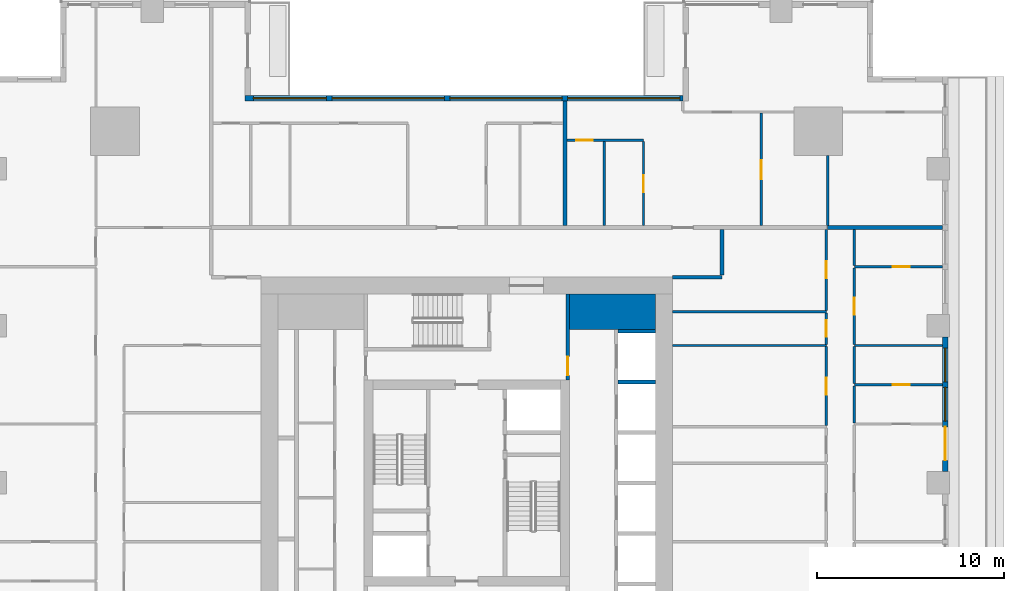
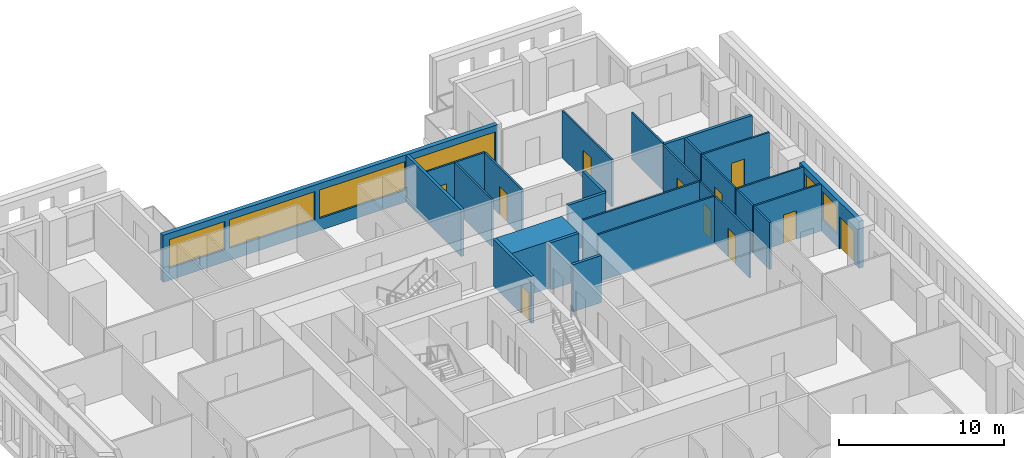
# One storey, part 8 of 15: 27 walls, 11 doors, 6 windows, 17 openings.
"""IFC4 building model written with IfcOpenShell, lengths in metres."""

from ifc_helpers import new_model, si_unit, direction, frame, frame_2d, origin, place, context, subcontext, project, spatial, rectangle, extrude, material, layer, layer_set, type_object, element, fill, save


model = new_model("IFC4")

# Units and contexts
model_context = context("Model", 3, precision=1e-05, world=origin(), true_north=direction((0.0, 1.0)))
body_context = subcontext(model_context, "Body", "Model", "MODEL_VIEW")
ifc_project = project(units=[si_unit("LENGTHUNIT", "METRE"), si_unit("AREAUNIT", "SQUARE_METRE"), si_unit("VOLUMEUNIT", "CUBIC_METRE"), si_unit("PLANEANGLEUNIT", "RADIAN"), si_unit("MASSUNIT", "GRAM", prefix="KILO")], contexts=[model_context])

# Site, building, storey
site_placement = place(None, origin())
site = spatial("IfcSite", under=ifc_project, at=site_placement, CompositionType="ELEMENT")
building_placement = place(site_placement, origin())
building = spatial("IfcBuilding", under=site, at=building_placement, Name="Khepri Terraces", CompositionType="ELEMENT")
storey_placement = place(building_placement, frame((0.0, 0.0, 165.0)))
storey = spatial("IfcBuildingStorey", under=building, at=storey_placement, Name="L39", CompositionType="ELEMENT", Elevation=165.0)

# Walls
ifc_material_1 = material(Name="Concrete C60/75", Category="concrete")
ifc_layer_1 = layer(ifc_material_1, 1.89990234375, Name="Concrete C60/75", Category="concrete")
ifc_layer_set_1 = layer_set([ifc_layer_1], Name="Concrete C60/75")
wall_type_1 = type_object("IfcWallType", Name="Core wall 1900 C60/75", PredefinedType="SHEAR", material=ifc_layer_set_1)
wall_1_placement = place(storey_placement, frame((5.5, 9.14990234375, 0.0), z_axis=(0.0, 0.0, 1.0), x_axis=(1.0, 0.0, 0.0)))
element("IfcWall", 1, at=wall_1_placement, inside=storey, type_object=wall_type_1, Name="Core wall PR04 L39", PredefinedType="SHEAR", context=body_context, shape_type="SweptSolid", body=[
    extrude(rectangle(XDim=4.60009765625, YDim=1.89990234375, at=frame_2d((2.300048828125, 0.0))), origin(), (0.0, 0.0, 1.0), 3.47998046875),
])
ifc_layer_2 = layer(ifc_material_1, 0.199951171875, Name="Concrete C60/75", Category="concrete")
ifc_layer_set_2 = layer_set([ifc_layer_2], Name="Concrete C60/75")
wall_type_2 = type_object("IfcWallType", Name="Core wall 200 C60/75", PredefinedType="SHEAR", material=ifc_layer_set_2)
for number, where, z_axis, x_axis, name in (
    (2, (8.10009765625, 5.39990234375, 0.0), (0.0, 0.0, 1.0), (1.0, 0.0, 0.0), "Core wall SH14 L39"),
    (3, (8.10009765625, 8.10009765625, 0.0), (0.0, 0.0, 1.0), (1.0, 0.0, 0.0), "Core wall SH15 L39"),
):
    element("IfcWall", number, at=place(storey_placement, frame(where, z_axis=z_axis, x_axis=x_axis)), inside=storey, type_object=wall_type_2, Name=name, PredefinedType="SHEAR", context=body_context, shape_type="SweptSolid", body=[
        extrude(rectangle(XDim=2.0, YDim=0.199951171875, at=frame_2d((1.0, 0.0))), origin(), (0.0, 0.0, 1.0), 3.47998046875),
    ])

# Wall, opening, door
ifc_material_2 = material(Name="Fire-rated gypsum board partition")
ifc_layer_3 = layer(ifc_material_2, 0.199951171875, Name="Fire-rated gypsum board partition")
ifc_layer_set_3 = layer_set([ifc_layer_3], Name="Fire-rated gypsum board partition")
wall_type_3 = type_object("IfcWallType", Name="WL-CORE-PART-200", PredefinedType="PARTITIONING", material=ifc_layer_set_3)
wall_2_placement = place(storey_placement, frame((5.39990234375, 5.5, 0.0), z_axis=(0.0, 0.0, 1.0), x_axis=(0.0, 1.0, 0.0)))
wall_2 = element("IfcWall", 4, at=wall_2_placement, inside=storey, type_object=wall_type_3, Name="Core partition PT12 L39", PredefinedType="PARTITIONING", context=body_context, shape_type="SweptSolid", body=[
    extrude(rectangle(XDim=4.60009765625, YDim=0.199951171875, at=frame_2d((2.300048828125, 0.0))), origin(), (0.0, 0.0, 1.0), 3.47998046875),
])
opening_1_placement = place(wall_2_placement, frame((0.25, 0.0, 0.0)))
opening_1 = element("IfcOpeningElement", 5, at=opening_1_placement, cuts=wall_2, Name="Opening L39-C17", PredefinedType="OPENING", context=body_context, shape_type="SweptSolid", body=[
    extrude(rectangle(XDim=1.0, YDim=2.10009765625, at=frame_2d((0.5, 1.050048828125))), frame((0.0, 0.10986328125, 0.0), z_axis=(0.0, -1.0, 0.0), x_axis=(1.0, 0.0, 0.0)), (0.0, 0.0, 1.0), 0.219970703125),
])
ifc_material_3 = material(Name="Painted steel", Category="steel")
door_type_1 = type_object("IfcDoorType", Name="DR-CORE-LOBBY-1000", OperationType="NOTDEFINED", PredefinedType="DOOR", material=ifc_material_3)
door_1_placement = place(opening_1_placement, origin())
door_1 = element("IfcDoor", 6, at=door_1_placement, inside=storey, type_object=door_type_1, Name="Lobby door L39-C17", OperationType="SINGLE_SWING_LEFT", OverallHeight=2.10009765625, OverallWidth=1.0, PredefinedType="DOOR", context=body_context, shape_type="SweptSolid", body=[
    extrude(rectangle(XDim=1.0, YDim=2.10009765625, at=frame_2d((0.5, 1.050048828125))), frame((0.0, 0.02490234375, 0.0), z_axis=(0.0, -1.0, 0.0), x_axis=(1.0, 0.0, 0.0)), (0.0, 0.0, 1.0), 0.050048828125),
])
fill(opening_1, door_1)

# Walls
ifc_material_4 = material(Name="Fire-rated gypsum plasterboard partition, mineral wool")
ifc_layer_4 = layer(ifc_material_4, 0.199951171875, Name="Fire-rated gypsum plasterboard partition, mineral wool")
ifc_layer_set_4 = layer_set([ifc_layer_4], Name="Fire-rated gypsum plasterboard partition, mineral wool")
wall_type_4 = type_object("IfcWallType", Name="WL-CORR-200", PredefinedType="PARTITIONING", material=ifc_layer_set_4)
wall_3_placement = place(storey_placement, frame((11.0, 11.0, 0.0), z_axis=(0.0, 0.0, 1.0), x_axis=(1.0, 0.0, 0.0)))
element("IfcWall", 7, at=wall_3_placement, inside=storey, type_object=wall_type_4, Name="Partition P-076 L39", PredefinedType="PARTITIONING", context=body_context, shape_type="SweptSolid", body=[
    extrude(rectangle(XDim=2.64990234375, YDim=0.199951171875, at=frame_2d((1.324951171875, 0.0))), origin(), (0.0, 0.0, 1.0), 3.47998046875),
])
wall_4_placement = place(storey_placement, frame((13.64990234375, 11.10009765625, 0.0), z_axis=(0.0, 0.0, 1.0), x_axis=(0.0, 1.0, 0.0)))
element("IfcWall", 8, at=wall_4_placement, inside=storey, type_object=wall_type_4, Name="Partition P-078 L39", PredefinedType="PARTITIONING", context=body_context, shape_type="SweptSolid", body=[
    extrude(rectangle(XDim=2.449951171875, YDim=0.199951171875, at=frame_2d((1.22509765625, 0.0))), origin(), (0.0, 0.0, 1.0), 3.47998046875),
])
wall_5_placement = place(storey_placement, frame((19.2958984375, 13.64990234375, 0.0), z_axis=(0.0, 0.0, 1.0), x_axis=(1.0, 0.0, 0.0)))
element("IfcWall", 9, at=wall_5_placement, inside=storey, type_object=wall_type_4, Name="Partition P-085 L39", PredefinedType="PARTITIONING", context=body_context, shape_type="SweptSolid", body=[
    extrude(rectangle(XDim=6.1240234375, YDim=0.199951171875, at=frame_2d((3.06201171875, 0.0))), origin(), (0.0, 0.0, 1.0), 3.47998046875),
])
wall_6_placement = place(storey_placement, frame((5.25, 13.75, 0.0), z_axis=(0.0, 0.0, 1.0), x_axis=(0.0, 1.0, 0.0)))
element("IfcWall", 10, at=wall_6_placement, inside=storey, type_object=wall_type_4, Name="Partition P-093 L39", PredefinedType="PARTITIONING", context=body_context, shape_type="SweptSolid", body=[
    extrude(rectangle(XDim=6.669921875, YDim=0.199951171875, at=frame_2d((3.3349609375, 0.0))), origin(), (0.0, 0.0, 1.0), 3.47998046875),
])

# Wall, openings, door, windows
ifc_material_5 = material(Name="Precast concrete C50/60 warm stone", Category="masonry")
ifc_layer_5 = layer(ifc_material_5, 0.300048828125, Name="Precast concrete C50/60 warm stone", Category="masonry")
ifc_layer_set_5 = layer_set([ifc_layer_5], Name="Precast concrete C50/60 warm stone")
wall_type_5 = type_object("IfcWallType", Name="WL-EXT-PRECAST-300", PredefinedType="STANDARD", material=ifc_layer_set_5)
wall_7_placement = place(storey_placement, frame((25.570068359375, 0.60009765625, 0.0), z_axis=(0.0, 0.0, 1.0), x_axis=(0.0, 1.0, 0.0)))
wall_7 = element("IfcWall", 11, at=wall_7_placement, inside=storey, type_object=wall_type_5, Name="External wall L39 E", PredefinedType="STANDARD", context=body_context, shape_type="SweptSolid", body=[
    extrude(rectangle(XDim=7.199951171875, YDim=0.300048828125, at=frame_2d((3.60009765625, 0.0))), origin(), (0.0, 0.0, 1.0), 3.47998046875),
])
opening_2_placement = place(wall_7_placement, frame((0.60009765625, 0.0, 0.0)))
opening_2 = element("IfcOpeningElement", 12, at=opening_2_placement, cuts=wall_7, Name="Opening ED-L39-06", PredefinedType="OPENING", context=body_context, shape_type="SweptSolid", body=[
    extrude(rectangle(XDim=1.800048828125, YDim=2.39990234375, at=frame_2d((0.89990234375, 1.199951171875))), frame((0.0, 0.16015625, 0.0), z_axis=(0.0, -1.0, 0.0), x_axis=(1.0, 0.0, 0.0)), (0.0, 0.0, 1.0), 0.320068359375),
])
opening_3_placement = place(wall_7_placement, frame((2.699951171875, 0.0, 0.89990234375)))
opening_3 = element("IfcOpeningElement", 13, at=opening_3_placement, cuts=wall_7, Name="Opening W1", PredefinedType="OPENING", context=body_context, shape_type="SweptSolid", body=[
    extrude(rectangle(XDim=1.800048828125, YDim=2.10009765625, at=frame_2d((0.89990234375, 1.050048828125))), frame((0.0, 0.16015625, 0.0), z_axis=(0.0, -1.0, 0.0), x_axis=(1.0, 0.0, 0.0)), (0.0, 0.0, 1.0), 0.320068359375),
])
opening_4_placement = place(wall_7_placement, frame((4.800048828125, 0.0, 0.89990234375)))
opening_4 = element("IfcOpeningElement", 14, at=opening_4_placement, cuts=wall_7, Name="Opening W1", PredefinedType="OPENING", context=body_context, shape_type="SweptSolid", body=[
    extrude(rectangle(XDim=1.800048828125, YDim=2.10009765625, at=frame_2d((0.89990234375, 1.050048828125))), frame((0.0, 0.16015625, 0.0), z_axis=(0.0, -1.0, 0.0), x_axis=(1.0, 0.0, 0.0)), (0.0, 0.0, 1.0), 0.320068359375),
])
ifc_material_6 = material(Name="Anodised aluminium bronze glazed door", Category="aluminium")
door_type_2 = type_object("IfcDoorType", Name="DR-BAL-SLIDE-1800x2400", OperationType="NOTDEFINED", PredefinedType="DOOR", material=ifc_material_6)
door_2_placement = place(opening_2_placement, origin())
door_2 = element("IfcDoor", 15, at=door_2_placement, inside=storey, type_object=door_type_2, Name="Balcony door L39 E", OperationType="SLIDING_TO_LEFT", OverallHeight=2.39990234375, OverallWidth=1.800048828125, PredefinedType="DOOR", context=body_context, shape_type="SweptSolid", body=[
    extrude(rectangle(XDim=1.800048828125, YDim=2.39990234375, at=frame_2d((0.89990234375, 1.199951171875))), frame((0.0, 0.02490234375, 0.0), z_axis=(0.0, -1.0, 0.0), x_axis=(1.0, 0.0, 0.0)), (0.0, 0.0, 1.0), 0.050048828125),
])
fill(opening_2, door_2)
ifc_material_7 = material(Name="Clear glass", Category="glass")
window_type_1 = type_object("IfcWindowType", Name="WIN-RES-1800x2100", PartitioningType="SINGLE_PANEL", PredefinedType="WINDOW", material=ifc_material_7)
window_1_placement = place(opening_3_placement, origin())
window_1 = element("IfcWindow", 16, at=window_1_placement, inside=storey, type_object=window_type_1, Name="Window L39 E", OverallHeight=2.10009765625, OverallWidth=1.800048828125, PartitioningType="SINGLE_PANEL", PredefinedType="WINDOW", context=body_context, shape_type="SweptSolid", body=[
    extrude(rectangle(XDim=1.800048828125, YDim=2.10009765625, at=frame_2d((0.89990234375, 1.050048828125))), frame((0.0, 0.030029296875, 0.0), z_axis=(0.0, -1.0, 0.0), x_axis=(1.0, 0.0, 0.0)), (0.0, 0.0, 1.0), 0.06005859375),
])
fill(opening_3, window_1)
window_2_placement = place(opening_4_placement, origin())
window_2 = element("IfcWindow", 17, at=window_2_placement, inside=storey, type_object=window_type_1, Name="Window L39 E", OverallHeight=2.10009765625, OverallWidth=1.800048828125, PartitioningType="SINGLE_PANEL", PredefinedType="WINDOW", context=body_context, shape_type="SweptSolid", body=[
    extrude(rectangle(XDim=1.800048828125, YDim=2.10009765625, at=frame_2d((0.89990234375, 1.050048828125))), frame((0.0, 0.030029296875, 0.0), z_axis=(0.0, -1.0, 0.0), x_axis=(1.0, 0.0, 0.0)), (0.0, 0.0, 1.0), 0.06005859375),
])
fill(opening_4, window_2)

# Wall, openings, windows
wall_8_placement = place(storey_placement, frame((11.550048828125, 20.570068359375, 0.0), z_axis=(0.0, 0.0, 1.0), x_axis=(-1.0, 0.0, 0.0)))
wall_8 = element("IfcWall", 18, at=wall_8_placement, inside=storey, type_object=wall_type_5, Name="External wall L39 N", PredefinedType="STANDARD", context=body_context, shape_type="SweptSolid", body=[
    extrude(rectangle(XDim=23.400146484375, YDim=0.300048828125, at=frame_2d((11.7001953125, 0.0))), origin(), (0.0, 0.0, 1.0), 3.47998046875),
])
opening_5_placement = place(wall_8_placement, frame((0.14990234375, 0.0, 0.89990234375)))
opening_5 = element("IfcOpeningElement", 19, at=opening_5_placement, cuts=wall_8, Name="Opening W3", PredefinedType="OPENING", context=body_context, shape_type="SweptSolid", body=[
    extrude(rectangle(XDim=6.0, YDim=2.10009765625, at=frame_2d((3.0, 1.050048828125))), frame((0.0, 0.16015625, 0.0), z_axis=(0.0, -1.0, 0.0), x_axis=(1.0, 0.0, 0.0)), (0.0, 0.0, 1.0), 0.320068359375),
])
opening_6_placement = place(wall_8_placement, frame((6.449951171875, 0.0, 0.89990234375)))
opening_6 = element("IfcOpeningElement", 20, at=opening_6_placement, cuts=wall_8, Name="Opening W3", PredefinedType="OPENING", context=body_context, shape_type="SweptSolid", body=[
    extrude(rectangle(XDim=6.0, YDim=2.10009765625, at=frame_2d((3.0, 1.050048828125))), frame((0.0, 0.16015625, 0.0), z_axis=(0.0, -1.0, 0.0), x_axis=(1.0, 0.0, 0.0)), (0.0, 0.0, 1.0), 0.320068359375),
])
opening_7_placement = place(wall_8_placement, frame((12.75, 0.0, 0.89990234375)))
opening_7 = element("IfcOpeningElement", 21, at=opening_7_placement, cuts=wall_8, Name="Opening W3", PredefinedType="OPENING", context=body_context, shape_type="SweptSolid", body=[
    extrude(rectangle(XDim=6.0, YDim=2.10009765625, at=frame_2d((3.0, 1.050048828125))), frame((0.0, 0.16015625, 0.0), z_axis=(0.0, -1.0, 0.0), x_axis=(1.0, 0.0, 0.0)), (0.0, 0.0, 1.0), 0.320068359375),
])
opening_8_placement = place(wall_8_placement, frame((19.050048828125, 0.0, 0.89990234375)))
opening_8 = element("IfcOpeningElement", 22, at=opening_8_placement, cuts=wall_8, Name="Opening W2", PredefinedType="OPENING", context=body_context, shape_type="SweptSolid", body=[
    extrude(rectangle(XDim=3.89990234375, YDim=2.10009765625, at=frame_2d((1.949951171875, 1.050048828125))), frame((0.0, 0.16015625, 0.0), z_axis=(0.0, -1.0, 0.0), x_axis=(1.0, 0.0, 0.0)), (0.0, 0.0, 1.0), 0.320068359375),
])
window_type_2 = type_object("IfcWindowType", Name="WIN-RES-3900x2100", PartitioningType="SINGLE_PANEL", PredefinedType="WINDOW", material=ifc_material_7)
window_3_placement = place(opening_8_placement, origin())
window_3 = element("IfcWindow", 23, at=window_3_placement, inside=storey, type_object=window_type_2, Name="Window L39 N", OverallHeight=2.10009765625, OverallWidth=3.89990234375, PartitioningType="SINGLE_PANEL", PredefinedType="WINDOW", context=body_context, shape_type="SweptSolid", body=[
    extrude(rectangle(XDim=3.89990234375, YDim=2.10009765625, at=frame_2d((1.949951171875, 1.050048828125))), frame((0.0, 0.030029296875, 0.0), z_axis=(0.0, -1.0, 0.0), x_axis=(1.0, 0.0, 0.0)), (0.0, 0.0, 1.0), 0.06005859375),
])
fill(opening_8, window_3)
window_type_3 = type_object("IfcWindowType", Name="WIN-RES-6000x2100", PartitioningType="SINGLE_PANEL", PredefinedType="WINDOW", material=ifc_material_7)
window_4_placement = place(opening_5_placement, origin())
window_4 = element("IfcWindow", 24, at=window_4_placement, inside=storey, type_object=window_type_3, Name="Window L39 N", OverallHeight=2.10009765625, OverallWidth=6.0, PartitioningType="SINGLE_PANEL", PredefinedType="WINDOW", context=body_context, shape_type="SweptSolid", body=[
    extrude(rectangle(XDim=6.0, YDim=2.10009765625, at=frame_2d((3.0, 1.050048828125))), frame((0.0, 0.030029296875, 0.0), z_axis=(0.0, -1.0, 0.0), x_axis=(1.0, 0.0, 0.0)), (0.0, 0.0, 1.0), 0.06005859375),
])
fill(opening_5, window_4)
window_5_placement = place(opening_6_placement, origin())
window_5 = element("IfcWindow", 25, at=window_5_placement, inside=storey, type_object=window_type_3, Name="Window L39 N", OverallHeight=2.10009765625, OverallWidth=6.0, PartitioningType="SINGLE_PANEL", PredefinedType="WINDOW", context=body_context, shape_type="SweptSolid", body=[
    extrude(rectangle(XDim=6.0, YDim=2.10009765625, at=frame_2d((3.0, 1.050048828125))), frame((0.0, 0.030029296875, 0.0), z_axis=(0.0, -1.0, 0.0), x_axis=(1.0, 0.0, 0.0)), (0.0, 0.0, 1.0), 0.06005859375),
])
fill(opening_6, window_5)
window_6_placement = place(opening_7_placement, origin())
window_6 = element("IfcWindow", 26, at=window_6_placement, inside=storey, type_object=window_type_3, Name="Window L39 N", OverallHeight=2.10009765625, OverallWidth=6.0, PartitioningType="SINGLE_PANEL", PredefinedType="WINDOW", context=body_context, shape_type="SweptSolid", body=[
    extrude(rectangle(XDim=6.0, YDim=2.10009765625, at=frame_2d((3.0, 1.050048828125))), frame((0.0, 0.030029296875, 0.0), z_axis=(0.0, -1.0, 0.0), x_axis=(1.0, 0.0, 0.0)), (0.0, 0.0, 1.0), 0.06005859375),
])
fill(opening_7, window_6)

# Wall, opening, door
ifc_material_8 = material(Name="Gypsum plasterboard partition")
ifc_layer_6 = layer(ifc_material_8, 0.1201171875, Name="Gypsum plasterboard partition")
ifc_layer_set_6 = layer_set([ifc_layer_6], Name="Gypsum plasterboard partition")
wall_type_6 = type_object("IfcWallType", Name="WL-PART-120", PredefinedType="PARTITIONING", material=ifc_layer_set_6)
wall_9_placement = place(storey_placement, frame((19.219970703125, 3.06005859375, 0.0), z_axis=(0.0, 0.0, 1.0), x_axis=(0.0, 1.0, 0.0)))
wall_9 = element("IfcWall", 27, at=wall_9_placement, inside=storey, type_object=wall_type_6, Name="Partition P-059 L39", PredefinedType="PARTITIONING", context=body_context, shape_type="SweptSolid", body=[
    extrude(rectangle(XDim=4.22998046875, YDim=0.1201171875, at=frame_2d((2.114990234375, 0.0))), origin(), (0.0, 0.0, 1.0), 3.47998046875),
])
opening_9_placement = place(wall_9_placement, frame((1.6650390625, 0.0, 0.0)))
opening_9 = element("IfcOpeningElement", 28, at=opening_9_placement, cuts=wall_9, Name="Opening D3", PredefinedType="OPENING", context=body_context, shape_type="SweptSolid", body=[
    extrude(rectangle(XDim=0.89990234375, YDim=2.10009765625, at=frame_2d((0.449951171875, 1.050048828125))), frame((0.0, 0.070068359375, 0.0), z_axis=(0.0, -1.0, 0.0), x_axis=(1.0, 0.0, 0.0)), (0.0, 0.0, 1.0), 0.14013671875),
])
ifc_material_9 = material(Name="Timber door leaf", Category="wood")
door_type_3 = type_object("IfcDoorType", Name="DR-INT-900", OperationType="NOTDEFINED", PredefinedType="DOOR", material=ifc_material_9)
door_3_placement = place(opening_9_placement, origin())
door_3 = element("IfcDoor", 29, at=door_3_placement, inside=storey, type_object=door_type_3, Name="Door Staff Bedroom", OperationType="SINGLE_SWING_LEFT", OverallHeight=2.10009765625, OverallWidth=0.89990234375, PredefinedType="DOOR", context=body_context, shape_type="SweptSolid", body=[
    extrude(rectangle(XDim=0.89990234375, YDim=2.10009765625, at=frame_2d((0.449951171875, 1.050048828125))), frame((0.0, 0.02490234375, 0.0), z_axis=(0.0, -1.0, 0.0), x_axis=(1.0, 0.0, 0.0)), (0.0, 0.0, 1.0), 0.050048828125),
])
fill(opening_9, door_3)

# Wall
wall_10_placement = place(storey_placement, frame((20.719970703125, 3.2099609375, 0.0), z_axis=(0.0, 0.0, 1.0), x_axis=(0.0, 1.0, 0.0)))
element("IfcWall", 30, at=wall_10_placement, inside=storey, type_object=wall_type_6, Name="Partition P-063 L39", PredefinedType="PARTITIONING", context=body_context, shape_type="SweptSolid", body=[
    extrude(rectangle(XDim=1.97998046875, YDim=0.1201171875, at=frame_2d((0.989990234375, 0.0))), origin(), (0.0, 0.0, 1.0), 3.47998046875),
])

# Wall, opening, door
wall_11_placement = place(storey_placement, frame((20.719970703125, 5.25, 0.0), z_axis=(0.0, 0.0, 1.0), x_axis=(1.0, 0.0, 0.0)))
wall_11 = element("IfcWall", 31, at=wall_11_placement, inside=storey, type_object=wall_type_6, Name="Partition P-066 L39", PredefinedType="PARTITIONING", context=body_context, shape_type="SweptSolid", body=[
    extrude(rectangle(XDim=4.699951171875, YDim=0.1201171875, at=frame_2d((2.35009765625, 0.0))), origin(), (0.0, 0.0, 1.0), 3.47998046875),
])
opening_10_placement = place(wall_11_placement, frame((2.050048828125, 0.0, 0.0)))
opening_10 = element("IfcOpeningElement", 32, at=opening_10_placement, cuts=wall_11, Name="Opening D4", PredefinedType="OPENING", context=body_context, shape_type="SweptSolid", body=[
    extrude(rectangle(XDim=0.89990234375, YDim=2.10009765625, at=frame_2d((0.449951171875, 1.050048828125))), frame((0.0, 0.070068359375, 0.0), z_axis=(0.0, -1.0, 0.0), x_axis=(1.0, 0.0, 0.0)), (0.0, 0.0, 1.0), 0.14013671875),
])
ifc_material_10 = material(Name="Timber door leaf, moisture resistant", Category="wood")
door_type_4 = type_object("IfcDoorType", Name="DR-WET-900", OperationType="NOTDEFINED", PredefinedType="DOOR", material=ifc_material_10)
door_4_placement = place(opening_10_placement, origin())
door_4 = element("IfcDoor", 33, at=door_4_placement, inside=storey, type_object=door_type_4, Name="Door Bathroom", OperationType="SINGLE_SWING_RIGHT", OverallHeight=2.10009765625, OverallWidth=0.89990234375, PredefinedType="DOOR", context=body_context, shape_type="SweptSolid", body=[
    extrude(rectangle(XDim=0.89990234375, YDim=2.10009765625, at=frame_2d((0.449951171875, 1.050048828125))), frame((0.0, 0.02490234375, 0.0), z_axis=(0.0, -1.0, 0.0), x_axis=(1.0, 0.0, 0.0)), (0.0, 0.0, 1.0), 0.050048828125),
])
fill(opening_10, door_4)

# Walls
wall_12_placement = place(storey_placement, frame((20.719970703125, 5.31005859375, 0.0), z_axis=(0.0, 0.0, 1.0), x_axis=(0.0, 1.0, 0.0)))
element("IfcWall", 34, at=wall_12_placement, inside=storey, type_object=wall_type_6, Name="Partition P-067 L39", PredefinedType="PARTITIONING", context=body_context, shape_type="SweptSolid", body=[
    extrude(rectangle(XDim=1.97998046875, YDim=0.1201171875, at=frame_2d((0.989990234375, 0.0))), origin(), (0.0, 0.0, 1.0), 3.47998046875),
])
wall_13_placement = place(storey_placement, frame((11.0, 7.35009765625, 0.0), z_axis=(0.0, 0.0, 1.0), x_axis=(1.0, 0.0, 0.0)))
element("IfcWall", 35, at=wall_13_placement, inside=storey, type_object=wall_type_6, Name="Partition P-069 L39", PredefinedType="PARTITIONING", context=body_context, shape_type="SweptSolid", body=[
    extrude(rectangle(XDim=8.219970703125, YDim=0.1201171875, at=frame_2d((4.10986328125, 0.0))), origin(), (0.0, 0.0, 1.0), 3.47998046875),
])
wall_14_placement = place(storey_placement, frame((20.719970703125, 7.35009765625, 0.0), z_axis=(0.0, 0.0, 1.0), x_axis=(1.0, 0.0, 0.0)))
element("IfcWall", 36, at=wall_14_placement, inside=storey, type_object=wall_type_6, Name="Partition P-070 L39", PredefinedType="PARTITIONING", context=body_context, shape_type="SweptSolid", body=[
    extrude(rectangle(XDim=4.699951171875, YDim=0.1201171875, at=frame_2d((2.35009765625, 0.0))), origin(), (0.0, 0.0, 1.0), 3.47998046875),
])

# Wall, opening, door
wall_15_placement = place(storey_placement, frame((19.219970703125, 7.409912109375, 0.0), z_axis=(0.0, 0.0, 1.0), x_axis=(0.0, 1.0, 0.0)))
wall_15 = element("IfcWall", 37, at=wall_15_placement, inside=storey, type_object=wall_type_6, Name="Partition P-071 L39", PredefinedType="PARTITIONING", context=body_context, shape_type="SweptSolid", body=[
    extrude(rectangle(XDim=1.68017578125, YDim=0.1201171875, at=frame_2d((0.840087890625, 0.0))), origin(), (0.0, 0.0, 1.0), 3.47998046875),
])
opening_11_placement = place(wall_15_placement, frame((0.389892578125, 0.0, 0.0)))
opening_11 = element("IfcOpeningElement", 38, at=opening_11_placement, cuts=wall_15, Name="Opening D4", PredefinedType="OPENING", context=body_context, shape_type="SweptSolid", body=[
    extrude(rectangle(XDim=0.89990234375, YDim=2.10009765625, at=frame_2d((0.449951171875, 1.050048828125))), frame((0.0, 0.070068359375, 0.0), z_axis=(0.0, -1.0, 0.0), x_axis=(1.0, 0.0, 0.0)), (0.0, 0.0, 1.0), 0.14013671875),
])
door_5_placement = place(opening_11_placement, origin())
door_5 = element("IfcDoor", 39, at=door_5_placement, inside=storey, type_object=door_type_4, Name="Door Guest Bathroom", OperationType="SINGLE_SWING_RIGHT", OverallHeight=2.10009765625, OverallWidth=0.89990234375, PredefinedType="DOOR", context=body_context, shape_type="SweptSolid", body=[
    extrude(rectangle(XDim=0.89990234375, YDim=2.10009765625, at=frame_2d((0.449951171875, 1.050048828125))), frame((0.0, 0.02490234375, 0.0), z_axis=(0.0, -1.0, 0.0), x_axis=(1.0, 0.0, 0.0)), (0.0, 0.0, 1.0), 0.050048828125),
])
fill(opening_11, door_5)

wall_16_placement = place(storey_placement, frame((20.719970703125, 7.409912109375, 0.0), z_axis=(0.0, 0.0, 1.0), x_axis=(0.0, 1.0, 0.0)))
wall_16 = element("IfcWall", 40, at=wall_16_placement, inside=storey, type_object=wall_type_6, Name="Partition P-072 L39", PredefinedType="PARTITIONING", context=body_context, shape_type="SweptSolid", body=[
    extrude(rectangle(XDim=4.080078125, YDim=0.1201171875, at=frame_2d((2.0400390625, 0.0))), origin(), (0.0, 0.0, 1.0), 3.47998046875),
])
opening_12_placement = place(wall_16_placement, frame((1.590087890625, 0.0, 0.0)))
opening_12 = element("IfcOpeningElement", 41, at=opening_12_placement, cuts=wall_16, Name="Opening D3", PredefinedType="OPENING", context=body_context, shape_type="SweptSolid", body=[
    extrude(rectangle(XDim=0.89990234375, YDim=2.10009765625, at=frame_2d((0.449951171875, 1.050048828125))), frame((0.0, 0.070068359375, 0.0), z_axis=(0.0, -1.0, 0.0), x_axis=(1.0, 0.0, 0.0)), (0.0, 0.0, 1.0), 0.14013671875),
])
door_6_placement = place(opening_12_placement, frame((0.89990234375, 0.0, 0.0), z_axis=(0.0, 0.0, 1.0), x_axis=(-1.0, 0.0, 0.0)))
door_6 = element("IfcDoor", 42, at=door_6_placement, inside=storey, type_object=door_type_3, Name="Door Bedroom", OperationType="SINGLE_SWING_RIGHT", OverallHeight=2.10009765625, OverallWidth=0.89990234375, PredefinedType="DOOR", context=body_context, shape_type="SweptSolid", body=[
    extrude(rectangle(XDim=0.89990234375, YDim=2.10009765625, at=frame_2d((0.449951171875, 1.050048828125))), frame((0.0, 0.02490234375, 0.0), z_axis=(0.0, -1.0, 0.0), x_axis=(1.0, 0.0, 0.0)), (0.0, 0.0, 1.0), 0.050048828125),
])
fill(opening_12, door_6)

# Wall
wall_17_placement = place(storey_placement, frame((11.0, 9.14990234375, 0.0), z_axis=(0.0, 0.0, 1.0), x_axis=(1.0, 0.0, 0.0)))
element("IfcWall", 43, at=wall_17_placement, inside=storey, type_object=wall_type_6, Name="Partition P-073 L39", PredefinedType="PARTITIONING", context=body_context, shape_type="SweptSolid", body=[
    extrude(rectangle(XDim=8.219970703125, YDim=0.1201171875, at=frame_2d((4.10986328125, 0.0))), origin(), (0.0, 0.0, 1.0), 3.47998046875),
])

# Wall, opening, door
wall_18_placement = place(storey_placement, frame((19.219970703125, 9.2099609375, 0.0), z_axis=(0.0, 0.0, 1.0), x_axis=(0.0, 1.0, 0.0)))
wall_18 = element("IfcWall", 44, at=wall_18_placement, inside=storey, type_object=wall_type_6, Name="Partition P-074 L39", PredefinedType="PARTITIONING", context=body_context, shape_type="SweptSolid", body=[
    extrude(rectangle(XDim=4.340087890625, YDim=0.1201171875, at=frame_2d((2.169921875, 0.0))), origin(), (0.0, 0.0, 1.0), 3.47998046875),
])
opening_13_placement = place(wall_18_placement, frame((1.739990234375, 0.0, 0.0)))
opening_13 = element("IfcOpeningElement", 45, at=opening_13_placement, cuts=wall_18, Name="Opening D3", PredefinedType="OPENING", context=body_context, shape_type="SweptSolid", body=[
    extrude(rectangle(XDim=0.89990234375, YDim=2.10009765625, at=frame_2d((0.449951171875, 1.050048828125))), frame((0.0, 0.070068359375, 0.0), z_axis=(0.0, -1.0, 0.0), x_axis=(1.0, 0.0, 0.0)), (0.0, 0.0, 1.0), 0.14013671875),
])
door_7_placement = place(opening_13_placement, origin())
door_7 = element("IfcDoor", 46, at=door_7_placement, inside=storey, type_object=door_type_3, Name="Door Utility Room", OperationType="SINGLE_SWING_RIGHT", OverallHeight=2.10009765625, OverallWidth=0.89990234375, PredefinedType="DOOR", context=body_context, shape_type="SweptSolid", body=[
    extrude(rectangle(XDim=0.89990234375, YDim=2.10009765625, at=frame_2d((0.449951171875, 1.050048828125))), frame((0.0, 0.02490234375, 0.0), z_axis=(0.0, -1.0, 0.0), x_axis=(1.0, 0.0, 0.0)), (0.0, 0.0, 1.0), 0.050048828125),
])
fill(opening_13, door_7)

wall_19_placement = place(storey_placement, frame((20.719970703125, 11.550048828125, 0.0), z_axis=(0.0, 0.0, 1.0), x_axis=(1.0, 0.0, 0.0)))
wall_19 = element("IfcWall", 47, at=wall_19_placement, inside=storey, type_object=wall_type_6, Name="Partition P-080 L39", PredefinedType="PARTITIONING", context=body_context, shape_type="SweptSolid", body=[
    extrude(rectangle(XDim=4.699951171875, YDim=0.1201171875, at=frame_2d((2.35009765625, 0.0))), origin(), (0.0, 0.0, 1.0), 3.47998046875),
])
opening_14_placement = place(wall_19_placement, frame((2.050048828125, 0.0, 0.0)))
opening_14 = element("IfcOpeningElement", 48, at=opening_14_placement, cuts=wall_19, Name="Opening D4", PredefinedType="OPENING", context=body_context, shape_type="SweptSolid", body=[
    extrude(rectangle(XDim=0.89990234375, YDim=2.10009765625, at=frame_2d((0.449951171875, 1.050048828125))), frame((0.0, 0.070068359375, 0.0), z_axis=(0.0, -1.0, 0.0), x_axis=(1.0, 0.0, 0.0)), (0.0, 0.0, 1.0), 0.14013671875),
])
door_8_placement = place(opening_14_placement, origin())
door_8 = element("IfcDoor", 49, at=door_8_placement, inside=storey, type_object=door_type_4, Name="Door Bathroom", OperationType="SINGLE_SWING_RIGHT", OverallHeight=2.10009765625, OverallWidth=0.89990234375, PredefinedType="DOOR", context=body_context, shape_type="SweptSolid", body=[
    extrude(rectangle(XDim=0.89990234375, YDim=2.10009765625, at=frame_2d((0.449951171875, 1.050048828125))), frame((0.0, 0.02490234375, 0.0), z_axis=(0.0, -1.0, 0.0), x_axis=(1.0, 0.0, 0.0)), (0.0, 0.0, 1.0), 0.050048828125),
])
fill(opening_14, door_8)

# Walls
wall_20_placement = place(storey_placement, frame((20.719970703125, 11.610107421875, 0.0), z_axis=(0.0, 0.0, 1.0), x_axis=(0.0, 1.0, 0.0)))
element("IfcWall", 50, at=wall_20_placement, inside=storey, type_object=wall_type_6, Name="Partition P-082 L39", PredefinedType="PARTITIONING", context=body_context, shape_type="SweptSolid", body=[
    extrude(rectangle(XDim=1.93994140625, YDim=0.1201171875, at=frame_2d((0.969970703125, 0.0))), origin(), (0.0, 0.0, 1.0), 3.47998046875),
])
wall_21_placement = place(storey_placement, frame((7.35009765625, 13.75, 0.0), z_axis=(0.0, 0.0, 1.0), x_axis=(0.0, 1.0, 0.0)))
element("IfcWall", 51, at=wall_21_placement, inside=storey, type_object=wall_type_6, Name="Partition P-094 L39", PredefinedType="PARTITIONING", context=body_context, shape_type="SweptSolid", body=[
    extrude(rectangle(XDim=4.510009765625, YDim=0.1201171875, at=frame_2d((2.2548828125, 0.0))), origin(), (0.0, 0.0, 1.0), 3.47998046875),
])

# Wall, opening, door
wall_22_placement = place(storey_placement, frame((9.449951171875, 13.75, 0.0), z_axis=(0.0, 0.0, 1.0), x_axis=(0.0, 1.0, 0.0)))
wall_22 = element("IfcWall", 52, at=wall_22_placement, inside=storey, type_object=wall_type_6, Name="Partition P-095 L39", PredefinedType="PARTITIONING", context=body_context, shape_type="SweptSolid", body=[
    extrude(rectangle(XDim=4.510009765625, YDim=0.1201171875, at=frame_2d((2.2548828125, 0.0))), origin(), (0.0, 0.0, 1.0), 3.47998046875),
])
opening_15_placement = place(wall_22_placement, frame((1.784912109375, 0.0, 0.0)))
opening_15 = element("IfcOpeningElement", 53, at=opening_15_placement, cuts=wall_22, Name="Opening D4", PredefinedType="OPENING", context=body_context, shape_type="SweptSolid", body=[
    extrude(rectangle(XDim=0.89990234375, YDim=2.10009765625, at=frame_2d((0.449951171875, 1.050048828125))), frame((0.0, 0.070068359375, 0.0), z_axis=(0.0, -1.0, 0.0), x_axis=(1.0, 0.0, 0.0)), (0.0, 0.0, 1.0), 0.14013671875),
])
door_9_placement = place(opening_15_placement, origin())
door_9 = element("IfcDoor", 54, at=door_9_placement, inside=storey, type_object=door_type_4, Name="Door Guest Bathroom", OperationType="SINGLE_SWING_LEFT", OverallHeight=2.10009765625, OverallWidth=0.89990234375, PredefinedType="DOOR", context=body_context, shape_type="SweptSolid", body=[
    extrude(rectangle(XDim=0.89990234375, YDim=2.10009765625, at=frame_2d((0.449951171875, 1.050048828125))), frame((0.0, 0.02490234375, 0.0), z_axis=(0.0, -1.0, 0.0), x_axis=(1.0, 0.0, 0.0)), (0.0, 0.0, 1.0), 0.050048828125),
])
fill(opening_15, door_9)

wall_23_placement = place(storey_placement, frame((15.75, 13.75, 0.0), z_axis=(0.0, 0.0, 1.0), x_axis=(0.0, 1.0, 0.0)))
wall_23 = element("IfcWall", 55, at=wall_23_placement, inside=storey, type_object=wall_type_6, Name="Partition P-096 L39", PredefinedType="PARTITIONING", context=body_context, shape_type="SweptSolid", body=[
    extrude(rectangle(XDim=6.010009765625, YDim=0.1201171875, at=frame_2d((3.0048828125, 0.0))), origin(), (0.0, 0.0, 1.0), 3.47998046875),
])
opening_16_placement = place(wall_23_placement, frame((2.485107421875, 0.0, 0.0)))
opening_16 = element("IfcOpeningElement", 56, at=opening_16_placement, cuts=wall_23, Name="Opening D2", PredefinedType="OPENING", context=body_context, shape_type="SweptSolid", body=[
    extrude(rectangle(XDim=1.0, YDim=2.10009765625, at=frame_2d((0.5, 1.050048828125))), frame((0.0, 0.070068359375, 0.0), z_axis=(0.0, -1.0, 0.0), x_axis=(1.0, 0.0, 0.0)), (0.0, 0.0, 1.0), 0.14013671875),
])
ifc_material_11 = material(Name="Timber door leaf, living room door", Category="wood")
door_type_5 = type_object("IfcDoorType", Name="DR-INT-1000", OperationType="NOTDEFINED", PredefinedType="DOOR", material=ifc_material_11)
door_10_placement = place(opening_16_placement, frame((1.0, 0.0, 0.0), z_axis=(0.0, 0.0, 1.0), x_axis=(-1.0, 0.0, 0.0)))
door_10 = element("IfcDoor", 57, at=door_10_placement, inside=storey, type_object=door_type_5, Name="Door Family Room", OperationType="SINGLE_SWING_RIGHT", OverallHeight=2.10009765625, OverallWidth=1.0, PredefinedType="DOOR", context=body_context, shape_type="SweptSolid", body=[
    extrude(rectangle(XDim=1.0, YDim=2.10009765625, at=frame_2d((0.5, 1.050048828125))), frame((0.0, 0.02490234375, 0.0), z_axis=(0.0, -1.0, 0.0), x_axis=(1.0, 0.0, 0.0)), (0.0, 0.0, 1.0), 0.050048828125),
])
fill(opening_16, door_10)

# Wall
wall_24_placement = place(storey_placement, frame((19.2958984375, 13.75, 0.0), z_axis=(0.0, 0.0, 1.0), x_axis=(0.0, 1.0, 0.0)))
element("IfcWall", 58, at=wall_24_placement, inside=storey, type_object=wall_type_6, Name="Partition P-097 L39", PredefinedType="PARTITIONING", context=body_context, shape_type="SweptSolid", body=[
    extrude(rectangle(XDim=3.75, YDim=0.1201171875, at=frame_2d((1.875, 0.0))), origin(), (0.0, 0.0, 1.0), 3.47998046875),
])

# Wall, opening, door
wall_25_placement = place(storey_placement, frame((5.35009765625, 18.320068359375, 0.0), z_axis=(0.0, 0.0, 1.0), x_axis=(1.0, 0.0, 0.0)))
wall_25 = element("IfcWall", 59, at=wall_25_placement, inside=storey, type_object=wall_type_6, Name="Partition P-098 L39", PredefinedType="PARTITIONING", context=body_context, shape_type="SweptSolid", body=[
    extrude(rectangle(XDim=4.099853515625, YDim=0.1201171875, at=frame_2d((2.0498046875, 0.0))), origin(), (0.0, 0.0, 1.0), 3.47998046875),
])
opening_17_placement = place(wall_25_placement, frame((0.5, 0.0, 0.0)))
opening_17 = element("IfcOpeningElement", 60, at=opening_17_placement, cuts=wall_25, Name="Opening D3", PredefinedType="OPENING", context=body_context, shape_type="SweptSolid", body=[
    extrude(rectangle(XDim=0.89990234375, YDim=2.10009765625, at=frame_2d((0.449951171875, 1.050048828125))), frame((0.0, 0.070068359375, 0.0), z_axis=(0.0, -1.0, 0.0), x_axis=(1.0, 0.0, 0.0)), (0.0, 0.0, 1.0), 0.14013671875),
])
door_11_placement = place(opening_17_placement, frame((0.89990234375, 0.0, 0.0), z_axis=(0.0, 0.0, 1.0), x_axis=(-1.0, 0.0, 0.0)))
door_11 = element("IfcDoor", 61, at=door_11_placement, inside=storey, type_object=door_type_3, Name="Door Kitchen", OperationType="SINGLE_SWING_RIGHT", OverallHeight=2.10009765625, OverallWidth=0.89990234375, PredefinedType="DOOR", context=body_context, shape_type="SweptSolid", body=[
    extrude(rectangle(XDim=0.89990234375, YDim=2.10009765625, at=frame_2d((0.449951171875, 1.050048828125))), frame((0.0, 0.02490234375, 0.0), z_axis=(0.0, -1.0, 0.0), x_axis=(1.0, 0.0, 0.0)), (0.0, 0.0, 1.0), 0.050048828125),
])
fill(opening_17, door_11)

save(model, "model.ifc")
